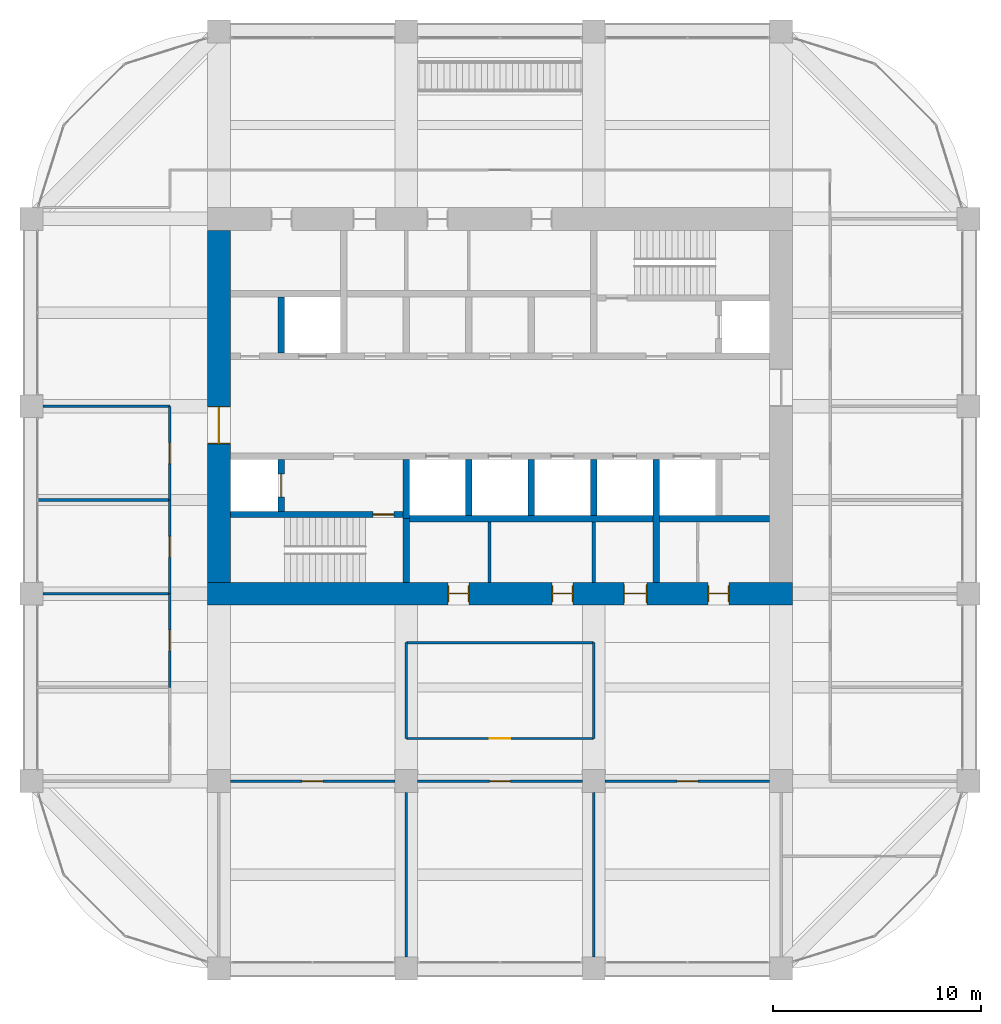
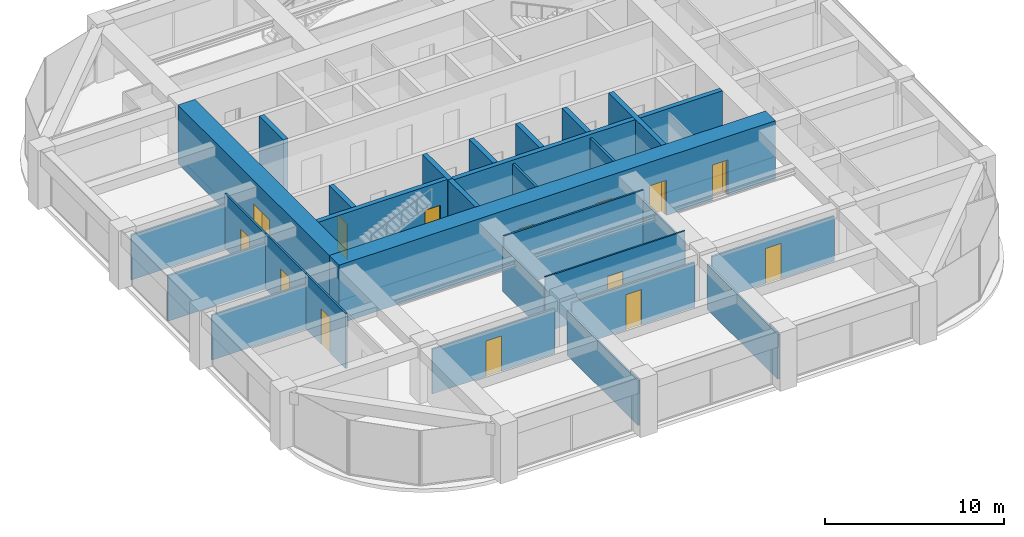
# One storey, part 41 of 45: 29 walls, 14 doors, 14 openings.
"""IFC4 building model written with IfcOpenShell, lengths in metres."""

from ifc_helpers import new_model, si_unit, direction, frame, frame_2d, origin, place, context, subcontext, project, spatial, rectangle, extrude, material, layer, layer_set, type_object, element, fill, save


model = new_model("IFC4")

# Units and contexts
model_context = context("Model", 3, precision=1e-05, world=origin(), true_north=direction((0.0, 1.0)))
body_context = subcontext(model_context, "Body", "Model", "MODEL_VIEW")
ifc_project = project(units=[si_unit("LENGTHUNIT", "METRE"), si_unit("AREAUNIT", "SQUARE_METRE"), si_unit("VOLUMEUNIT", "CUBIC_METRE"), si_unit("PLANEANGLEUNIT", "RADIAN"), si_unit("MASSUNIT", "GRAM", prefix="KILO")], contexts=[model_context])

# Site, building, storey
site_placement = place(None, origin())
site = spatial("IfcSite", under=ifc_project, at=site_placement, CompositionType="ELEMENT")
building_placement = place(site_placement, origin())
building = spatial("IfcBuilding", under=site, at=building_placement, Name="Zorevar Civic Tower", CompositionType="ELEMENT")
storey_placement = place(building_placement, frame((0.0, 0.0, 291.39990234375)))
storey = spatial("IfcBuildingStorey", under=building, at=storey_placement, Name="L71", CompositionType="ELEMENT", Elevation=291.39990234375)

# Wall, openings, doors
ifc_material_1 = material(Name="Concrete C50/60", Category="concrete")
ifc_layer_1 = layer(ifc_material_1, 1.10009765625)
ifc_layer_set_1 = layer_set([ifc_layer_1], Name="Core wall 1100")
wall_type_1 = type_object("IfcWallType", Name="Core wall 1100", PredefinedType="SHEAR", material=ifc_layer_set_1)
wall_1_placement = place(storey_placement, frame((17.449951171875, 18.0, 0.0), z_axis=(0.0, 0.0, 1.0), x_axis=(1.0, 0.0, 0.0)))
wall_1 = element("IfcWall", 1, at=wall_1_placement, inside=storey, type_object=wall_type_1, Name="Core wall S L71", PredefinedType="SHEAR", context=body_context, shape_type="SweptSolid", body=[
    extrude(rectangle(XDim=28.10009765625, YDim=1.10009765625, at=frame_2d((14.050048828125, 0.0))), origin(), (0.0, 0.0, 1.0), 4.0),
])
opening_1_placement = place(wall_1_placement, frame((11.550048828125, 0.0, 0.0)))
opening_1 = element("IfcOpeningElement", 2, at=opening_1_placement, cuts=wall_1, Name="Opening L71.03", PredefinedType="OPENING", context=body_context, shape_type="SweptSolid", body=[
    extrude(rectangle(XDim=1.0, YDim=2.39990234375, at=frame_2d((0.5, 1.199951171875))), frame((0.0, 0.56005859375, 0.0), z_axis=(0.0, -1.0, 0.0), x_axis=(1.0, 0.0, 0.0)), (0.0, 0.0, 1.0), 1.1201171875),
])
opening_2_placement = place(wall_1_placement, frame((16.550048828125, 0.0, 0.0)))
opening_2 = element("IfcOpeningElement", 3, at=opening_2_placement, cuts=wall_1, Name="Opening L71.04", PredefinedType="OPENING", context=body_context, shape_type="SweptSolid", body=[
    extrude(rectangle(XDim=1.0, YDim=2.39990234375, at=frame_2d((0.5, 1.199951171875))), frame((0.0, 0.56005859375, 0.0), z_axis=(0.0, -1.0, 0.0), x_axis=(1.0, 0.0, 0.0)), (0.0, 0.0, 1.0), 1.1201171875),
])
opening_3_placement = place(wall_1_placement, frame((20.0, 0.0, 0.0)))
opening_3 = element("IfcOpeningElement", 4, at=opening_3_placement, cuts=wall_1, Name="Opening L71.05", PredefinedType="OPENING", context=body_context, shape_type="SweptSolid", body=[
    extrude(rectangle(XDim=1.10009765625, YDim=2.39990234375, at=frame_2d((0.550048828125, 1.199951171875))), frame((0.0, 0.56005859375, 0.0), z_axis=(0.0, -1.0, 0.0), x_axis=(1.0, 0.0, 0.0)), (0.0, 0.0, 1.0), 1.1201171875),
])
opening_4_placement = place(wall_1_placement, frame((24.050048828125, 0.0, 0.0)))
opening_4 = element("IfcOpeningElement", 5, at=opening_4_placement, cuts=wall_1, Name="Opening L71.06", PredefinedType="OPENING", context=body_context, shape_type="SweptSolid", body=[
    extrude(rectangle(XDim=1.0, YDim=2.39990234375, at=frame_2d((0.5, 1.199951171875))), frame((0.0, 0.56005859375, 0.0), z_axis=(0.0, -1.0, 0.0), x_axis=(1.0, 0.0, 0.0)), (0.0, 0.0, 1.0), 1.1201171875),
])
ifc_material_2 = material(Name="Timber door set", Category="wood")
door_type_1 = type_object("IfcDoorType", Name="Door D1 1000x2400", OperationType="SINGLE_SWING_LEFT", PredefinedType="DOOR", material=ifc_material_2)
door_1_placement = place(opening_1_placement, origin())
door_1 = element("IfcDoor", 6, at=door_1_placement, inside=storey, type_object=door_type_1, Name="Door L71 02", OperationType="SINGLE_SWING_LEFT", OverallHeight=2.39990234375, OverallWidth=1.0, PredefinedType="DOOR", context=body_context, shape_type="SweptSolid", body=[
    extrude(rectangle(XDim=1.0, YDim=2.39990234375, at=frame_2d((0.5, 1.199951171875))), frame((0.0, 0.02490234375, 0.0), z_axis=(0.0, -1.0, 0.0), x_axis=(1.0, 0.0, 0.0)), (0.0, 0.0, 1.0), 0.050048828125),
    extrude(rectangle(XDim=0.04, YDim=2.39990234375, at=frame_2d((0.02001953125, 1.199951171875))), frame((0.0, 0.39990234375, 0.0), z_axis=(0.0, -1.0, 0.0), x_axis=(1.0, 0.0, 0.0)), (0.0, 0.0, 1.0), 0.800048828125),
    extrude(rectangle(XDim=0.04, YDim=2.39990234375, at=frame_2d((0.97998046875, 1.199951171875))), frame((0.0, 0.39990234375, 0.0), z_axis=(0.0, -1.0, 0.0), x_axis=(1.0, 0.0, 0.0)), (0.0, 0.0, 1.0), 0.800048828125),
    extrude(rectangle(XDim=1.0, YDim=0.04, at=frame_2d((0.5, 2.3798828125))), frame((0.0, 0.39990234375, 0.0), z_axis=(0.0, -1.0, 0.0), x_axis=(1.0, 0.0, 0.0)), (0.0, 0.0, 1.0), 0.800048828125),
])
fill(opening_1, door_1)
door_2_placement = place(opening_2_placement, origin())
door_2 = element("IfcDoor", 7, at=door_2_placement, inside=storey, type_object=door_type_1, Name="Door L71 03", OperationType="SINGLE_SWING_RIGHT", OverallHeight=2.39990234375, OverallWidth=1.0, PredefinedType="DOOR", context=body_context, shape_type="SweptSolid", body=[
    extrude(rectangle(XDim=1.0, YDim=2.39990234375, at=frame_2d((0.5, 1.199951171875))), frame((0.0, 0.02490234375, 0.0), z_axis=(0.0, -1.0, 0.0), x_axis=(1.0, 0.0, 0.0)), (0.0, 0.0, 1.0), 0.050048828125),
    extrude(rectangle(XDim=0.04, YDim=2.39990234375, at=frame_2d((0.02001953125, 1.199951171875))), frame((0.0, 0.39990234375, 0.0), z_axis=(0.0, -1.0, 0.0), x_axis=(1.0, 0.0, 0.0)), (0.0, 0.0, 1.0), 0.800048828125),
    extrude(rectangle(XDim=0.04, YDim=2.39990234375, at=frame_2d((0.97998046875, 1.199951171875))), frame((0.0, 0.39990234375, 0.0), z_axis=(0.0, -1.0, 0.0), x_axis=(1.0, 0.0, 0.0)), (0.0, 0.0, 1.0), 0.800048828125),
    extrude(rectangle(XDim=1.0, YDim=0.04, at=frame_2d((0.5, 2.3798828125))), frame((0.0, 0.39990234375, 0.0), z_axis=(0.0, -1.0, 0.0), x_axis=(1.0, 0.0, 0.0)), (0.0, 0.0, 1.0), 0.800048828125),
])
fill(opening_2, door_2)
door_3_placement = place(opening_4_placement, origin())
door_3 = element("IfcDoor", 8, at=door_3_placement, inside=storey, type_object=door_type_1, Name="Door L71 05", OperationType="SINGLE_SWING_RIGHT", OverallHeight=2.39990234375, OverallWidth=1.0, PredefinedType="DOOR", context=body_context, shape_type="SweptSolid", body=[
    extrude(rectangle(XDim=1.0, YDim=2.39990234375, at=frame_2d((0.5, 1.199951171875))), frame((0.0, 0.02490234375, 0.0), z_axis=(0.0, -1.0, 0.0), x_axis=(1.0, 0.0, 0.0)), (0.0, 0.0, 1.0), 0.050048828125),
    extrude(rectangle(XDim=0.04, YDim=2.39990234375, at=frame_2d((0.02001953125, 1.199951171875))), frame((0.0, 0.39990234375, 0.0), z_axis=(0.0, -1.0, 0.0), x_axis=(1.0, 0.0, 0.0)), (0.0, 0.0, 1.0), 0.800048828125),
    extrude(rectangle(XDim=0.04, YDim=2.39990234375, at=frame_2d((0.97998046875, 1.199951171875))), frame((0.0, 0.39990234375, 0.0), z_axis=(0.0, -1.0, 0.0), x_axis=(1.0, 0.0, 0.0)), (0.0, 0.0, 1.0), 0.800048828125),
    extrude(rectangle(XDim=1.0, YDim=0.04, at=frame_2d((0.5, 2.3798828125))), frame((0.0, 0.39990234375, 0.0), z_axis=(0.0, -1.0, 0.0), x_axis=(1.0, 0.0, 0.0)), (0.0, 0.0, 1.0), 0.800048828125),
])
fill(opening_4, door_3)
ifc_material_3 = material(Name="Timber door set", Category="wood")
door_type_2 = type_object("IfcDoorType", Name="Door D5 1100x2400", OperationType="SINGLE_SWING_LEFT", PredefinedType="DOOR", material=ifc_material_3)
door_4_placement = place(opening_3_placement, origin())
door_4 = element("IfcDoor", 9, at=door_4_placement, inside=storey, type_object=door_type_2, Name="Door L71 04", OperationType="SINGLE_SWING_RIGHT", OverallHeight=2.39990234375, OverallWidth=1.10009765625, PredefinedType="DOOR", context=body_context, shape_type="SweptSolid", body=[
    extrude(rectangle(XDim=1.10009765625, YDim=2.39990234375, at=frame_2d((0.550048828125, 1.199951171875))), frame((0.0, 0.02490234375, 0.0), z_axis=(0.0, -1.0, 0.0), x_axis=(1.0, 0.0, 0.0)), (0.0, 0.0, 1.0), 0.050048828125),
    extrude(rectangle(XDim=0.04, YDim=2.39990234375, at=frame_2d((0.02001953125, 1.199951171875))), frame((0.0, 0.43994140625, 0.0), z_axis=(0.0, -1.0, 0.0), x_axis=(1.0, 0.0, 0.0)), (0.0, 0.0, 1.0), 0.880126953125),
    extrude(rectangle(XDim=0.04, YDim=2.39990234375, at=frame_2d((1.080078125, 1.199951171875))), frame((0.0, 0.43994140625, 0.0), z_axis=(0.0, -1.0, 0.0), x_axis=(1.0, 0.0, 0.0)), (0.0, 0.0, 1.0), 0.880126953125),
    extrude(rectangle(XDim=1.10009765625, YDim=0.04, at=frame_2d((0.550048828125, 2.3798828125))), frame((0.0, 0.43994140625, 0.0), z_axis=(0.0, -1.0, 0.0), x_axis=(1.0, 0.0, 0.0)), (0.0, 0.0, 1.0), 0.880126953125),
])
fill(opening_3, door_4)

# Wall, opening, door
wall_2_placement = place(storey_placement, frame((18.0, 35.449951171875, 0.0), z_axis=(0.0, 0.0, 1.0), x_axis=(0.0, -1.0, 0.0)))
wall_2 = element("IfcWall", 10, at=wall_2_placement, inside=storey, type_object=wall_type_1, Name="Core wall W L71", PredefinedType="SHEAR", context=body_context, shape_type="SweptSolid", body=[
    extrude(rectangle(XDim=16.89990234375, YDim=1.10009765625, at=frame_2d((8.449951171875, 0.0))), origin(), (0.0, 0.0, 1.0), 4.0),
])
opening_5_placement = place(wall_2_placement, frame((8.449951171875, 0.0, 0.0)))
opening_5 = element("IfcOpeningElement", 11, at=opening_5_placement, cuts=wall_2, Name="Opening L71.01", PredefinedType="OPENING", context=body_context, shape_type="SweptSolid", body=[
    extrude(rectangle(XDim=1.800048828125, YDim=2.39990234375, at=frame_2d((0.89990234375, 1.199951171875))), frame((0.0, 0.56005859375, 0.0), z_axis=(0.0, -1.0, 0.0), x_axis=(1.0, 0.0, 0.0)), (0.0, 0.0, 1.0), 1.1201171875),
])
ifc_material_4 = material(Name="Steel door set", Category="steel")
door_type_3 = type_object("IfcDoorType", Name="Fire door FD2 1800x2400", OperationType="DOUBLE_DOOR_DOUBLE_SWING", PredefinedType="DOOR", material=ifc_material_4)
door_5_placement = place(opening_5_placement, origin())
door_5 = element("IfcDoor", 12, at=door_5_placement, inside=storey, type_object=door_type_3, Name="Door L71 00", OperationType="DOUBLE_DOOR_DOUBLE_SWING", OverallHeight=2.39990234375, OverallWidth=1.800048828125, PredefinedType="DOOR", context=body_context, shape_type="SweptSolid", body=[
    extrude(rectangle(XDim=1.800048828125, YDim=2.39990234375, at=frame_2d((0.89990234375, 1.199951171875))), frame((0.0, 0.030029296875, 0.0), z_axis=(0.0, -1.0, 0.0), x_axis=(1.0, 0.0, 0.0)), (0.0, 0.0, 1.0), 0.06005859375),
    extrude(rectangle(XDim=0.04, YDim=2.39990234375, at=frame_2d((0.02001953125, 1.199951171875))), frame((0.0, 0.5498046875, 0.0), z_axis=(0.0, -1.0, 0.0), x_axis=(1.0, 0.0, 0.0)), (0.0, 0.0, 1.0), 1.099609375),
    extrude(rectangle(XDim=0.04, YDim=2.39990234375, at=frame_2d((1.780029296875, 1.199951171875))), frame((0.0, 0.5498046875, 0.0), z_axis=(0.0, -1.0, 0.0), x_axis=(1.0, 0.0, 0.0)), (0.0, 0.0, 1.0), 1.099609375),
    extrude(rectangle(XDim=1.800048828125, YDim=0.04, at=frame_2d((0.89990234375, 2.3798828125))), frame((0.0, 0.5498046875, 0.0), z_axis=(0.0, -1.0, 0.0), x_axis=(1.0, 0.0, 0.0)), (0.0, 0.0, 1.0), 1.099609375),
])
fill(opening_5, door_5)

ifc_material_5 = material(Name="Laminated glass in black aluminium frame", Category="aluminium")
ifc_layer_2 = layer(ifc_material_5, 0.10009765625)
ifc_layer_set_2 = layer_set([ifc_layer_2], Name="Glazed partition 100")
wall_type_2 = type_object("IfcWallType", Name="Glazed partition 100", PredefinedType="PARTITIONING", material=ifc_layer_set_2)
wall_3_placement = place(storey_placement, frame((27.0, 11.050048828125, 0.0), z_axis=(0.0, 0.0, 1.0), x_axis=(1.0, 0.0, 0.0)))
wall_3 = element("IfcWall", 13, at=wall_3_placement, inside=storey, type_object=wall_type_2, Name="Glazed partition 100 L71", PredefinedType="PARTITIONING", context=body_context, shape_type="SweptSolid", body=[
    extrude(rectangle(XDim=9.0, YDim=0.10009765625, at=frame_2d((4.5, 0.0))), origin(), (0.0, 0.0, 1.0), 3.75),
])
opening_6_placement = place(wall_3_placement, frame((4.0, 0.0, 0.0)))
opening_6 = element("IfcOpeningElement", 14, at=opening_6_placement, cuts=wall_3, Name="Opening L71.21", PredefinedType="OPENING", context=body_context, shape_type="SweptSolid", body=[
    extrude(rectangle(XDim=1.0, YDim=2.39990234375, at=frame_2d((0.5, 1.199951171875))), frame((0.0, 0.06005859375, 0.0), z_axis=(0.0, -1.0, 0.0), x_axis=(1.0, 0.0, 0.0)), (0.0, 0.0, 1.0), 0.1201171875),
])
ifc_material_6 = material(Name="Timber door set", Category="wood")
door_type_4 = type_object("IfcDoorType", Name="Glazed door GD1 1000x2400", OperationType="SINGLE_SWING_LEFT", PredefinedType="DOOR", material=ifc_material_6)
door_6_placement = place(opening_6_placement, origin())
door_6 = element("IfcDoor", 15, at=door_6_placement, inside=storey, type_object=door_type_4, Name="Door L71 D1", OperationType="SINGLE_SWING_RIGHT", OverallHeight=2.39990234375, OverallWidth=1.0, PredefinedType="DOOR", context=body_context, shape_type="SweptSolid", body=[
    extrude(rectangle(XDim=1.0, YDim=2.39990234375, at=frame_2d((0.5, 1.199951171875))), frame((0.0, 0.02001953125, 0.0), z_axis=(0.0, -1.0, 0.0), x_axis=(1.0, 0.0, 0.0)), (0.0, 0.0, 1.0), 0.0400390625),
])
fill(opening_6, door_6)

ifc_material_7 = material(Name="Concrete C40/50", Category="concrete")
ifc_layer_3 = layer(ifc_material_7, 0.300048828125)
ifc_layer_set_3 = layer_set([ifc_layer_3], Name="Inner core wall 300")
wall_type_3 = type_object("IfcWallType", Name="Inner core wall 300", PredefinedType="SHEAR", material=ifc_layer_set_3)
wall_4_placement = place(storey_placement, frame((18.550048828125, 21.800048828125, 0.0), z_axis=(0.0, 0.0, 1.0), x_axis=(1.0, 0.0, 0.0)))
wall_4 = element("IfcWall", 16, at=wall_4_placement, inside=storey, type_object=wall_type_3, Name="Inner core wall S00 L71", PredefinedType="SHEAR", context=body_context, shape_type="SweptSolid", body=[
    extrude(rectangle(XDim=8.300048828125, YDim=0.300048828125, at=frame_2d((4.14990234375, 0.0))), origin(), (0.0, 0.0, 1.0), 4.0),
])
opening_7_placement = place(wall_4_placement, frame((6.85009765625, 0.0, 0.0)))
opening_7 = element("IfcOpeningElement", 17, at=opening_7_placement, cuts=wall_4, Name="Opening L71.11", PredefinedType="OPENING", context=body_context, shape_type="SweptSolid", body=[
    extrude(rectangle(XDim=1.0, YDim=2.39990234375, at=frame_2d((0.5, 1.199951171875))), frame((0.0, 0.159912109375, 0.0), z_axis=(0.0, -1.0, 0.0), x_axis=(1.0, 0.0, 0.0)), (0.0, 0.0, 1.0), 0.320068359375),
])
ifc_material_8 = material(Name="Steel door set", Category="steel")
door_type_5 = type_object("IfcDoorType", Name="Fire door FD1 1000x2400", OperationType="SINGLE_SWING_LEFT", PredefinedType="DOOR", material=ifc_material_8)
door_7_placement = place(opening_7_placement, origin())
door_7 = element("IfcDoor", 18, at=door_7_placement, inside=storey, type_object=door_type_5, Name="Door L71 10", OperationType="SINGLE_SWING_RIGHT", OverallHeight=2.39990234375, OverallWidth=1.0, PredefinedType="DOOR", context=body_context, shape_type="SweptSolid", body=[
    extrude(rectangle(XDim=1.0, YDim=2.39990234375, at=frame_2d((0.5, 1.199951171875))), frame((0.0, 0.030029296875, 0.0), z_axis=(0.0, -1.0, 0.0), x_axis=(1.0, 0.0, 0.0)), (0.0, 0.0, 1.0), 0.06005859375),
])
fill(opening_7, door_7)

# Wall
wall_5_placement = place(storey_placement, frame((27.0, 18.550048828125, 0.0), z_axis=(0.0, 0.0, 1.0), x_axis=(0.0, 1.0, 0.0)))
element("IfcWall", 19, at=wall_5_placement, inside=storey, type_object=wall_type_3, Name="Inner core wall S01 L71", PredefinedType="SHEAR", context=body_context, shape_type="SweptSolid", body=[
    extrude(rectangle(XDim=3.050048828125, YDim=0.300048828125, at=frame_2d((1.52490234375, 0.0))), origin(), (0.0, 0.0, 1.0), 4.0),
])

# Wall, opening, door
wall_6_placement = place(storey_placement, frame((21.0, 21.949951171875, 0.0), z_axis=(0.0, 0.0, 1.0), x_axis=(0.0, 1.0, 0.0)))
wall_6 = element("IfcWall", 20, at=wall_6_placement, inside=storey, type_object=wall_type_3, Name="Inner core wall S02 L71", PredefinedType="SHEAR", context=body_context, shape_type="SweptSolid", body=[
    extrude(rectangle(XDim=2.5, YDim=0.300048828125, at=frame_2d((1.25, 0.0))), origin(), (0.0, 0.0, 1.0), 4.0),
])
opening_8_placement = place(wall_6_placement, frame((0.699951171875, 0.0, 0.0)))
opening_8 = element("IfcOpeningElement", 21, at=opening_8_placement, cuts=wall_6, Name="Opening L71.FL1", PredefinedType="OPENING", context=body_context, shape_type="SweptSolid", body=[
    extrude(rectangle(XDim=1.10009765625, YDim=2.39990234375, at=frame_2d((0.550048828125, 1.199951171875))), frame((0.0, 0.159912109375, 0.0), z_axis=(0.0, -1.0, 0.0), x_axis=(1.0, 0.0, 0.0)), (0.0, 0.0, 1.0), 0.320068359375),
])
ifc_material_9 = material(Name="Steel door set", Category="steel")
door_type_6 = type_object("IfcDoorType", Name="Firefighting lift landing door LD3 1100x2400", OperationType="DOUBLE_DOOR_SLIDING", PredefinedType="DOOR", material=ifc_material_9)
door_8_placement = place(opening_8_placement, origin())
door_8 = element("IfcDoor", 22, at=door_8_placement, inside=storey, type_object=door_type_6, Name="Landing door FL1 L71", OperationType="DOUBLE_DOOR_SLIDING", OverallHeight=2.39990234375, OverallWidth=1.10009765625, PredefinedType="DOOR", context=body_context, shape_type="SweptSolid", body=[
    extrude(rectangle(XDim=1.10009765625, YDim=2.39990234375, at=frame_2d((0.550048828125, 1.199951171875))), frame((0.0, 0.030029296875, 0.0), z_axis=(0.0, -1.0, 0.0), x_axis=(1.0, 0.0, 0.0)), (0.0, 0.0, 1.0), 0.06005859375),
])
fill(opening_8, door_8)

# Walls
wall_7_placement = place(storey_placement, frame((27.14990234375, 21.60009765625, 0.0), z_axis=(0.0, 0.0, 1.0), x_axis=(1.0, 0.0, 0.0)))
element("IfcWall", 23, at=wall_7_placement, inside=storey, type_object=wall_type_3, Name="Inner core wall S04 L71", PredefinedType="SHEAR", context=body_context, shape_type="SweptSolid", body=[
    extrude(rectangle(XDim=17.300048828125, YDim=0.300048828125, at=frame_2d((8.64990234375, 0.0))), origin(), (0.0, 0.0, 1.0), 4.0),
])
for number, where, z_axis, x_axis, name in (
    (24, (30.0, 21.75, 0.0), (0.0, 0.0, 1.0), (0.0, 1.0, 0.0), "Inner core wall S05 L71"),
    (25, (33.0, 21.75, 0.0), (0.0, 0.0, 1.0), (0.0, 1.0, 0.0), "Inner core wall S06 L71"),
    (26, (36.0, 21.75, 0.0), (0.0, 0.0, 1.0), (0.0, 1.0, 0.0), "Inner core wall S07 L71"),
):
    element("IfcWall", number, at=place(storey_placement, frame(where, z_axis=z_axis, x_axis=x_axis)), inside=storey, type_object=wall_type_3, Name=name, PredefinedType="SHEAR", context=body_context, shape_type="SweptSolid", body=[
        extrude(rectangle(XDim=2.699951171875, YDim=0.300048828125, at=frame_2d((1.35009765625, 0.0))), origin(), (0.0, 0.0, 1.0), 4.0),
    ])
wall_8_placement = place(storey_placement, frame((39.0, 18.550048828125, 0.0), z_axis=(0.0, 0.0, 1.0), x_axis=(0.0, 1.0, 0.0)))
element("IfcWall", 27, at=wall_8_placement, inside=storey, type_object=wall_type_3, Name="Inner core wall S08 L71", PredefinedType="SHEAR", context=body_context, shape_type="SweptSolid", body=[
    extrude(rectangle(XDim=5.89990234375, YDim=0.300048828125, at=frame_2d((2.949951171875, 0.0))), origin(), (0.0, 0.0, 1.0), 4.0),
])
wall_9_placement = place(storey_placement, frame((21.0, 29.550048828125, 0.0), z_axis=(0.0, 0.0, 1.0), x_axis=(0.0, 1.0, 0.0)))
element("IfcWall", 28, at=wall_9_placement, inside=storey, type_object=wall_type_3, Name="Inner core wall N09 L71", PredefinedType="SHEAR", context=body_context, shape_type="SweptSolid", body=[
    extrude(rectangle(XDim=2.699951171875, YDim=0.300048828125, at=frame_2d((1.35009765625, 0.0))), origin(), (0.0, 0.0, 1.0), 4.0),
])
wall_10_placement = place(storey_placement, frame((27.0, 21.60009765625, 0.0), z_axis=(0.0, 0.0, 1.0), x_axis=(0.0, 1.0, 0.0)))
element("IfcWall", 29, at=wall_10_placement, inside=storey, type_object=wall_type_3, Name="Inner core wall S10 L71", PredefinedType="SHEAR", context=body_context, shape_type="SweptSolid", body=[
    extrude(rectangle(XDim=2.849853515625, YDim=0.300048828125, at=frame_2d((1.4248046875, 0.0))), origin(), (0.0, 0.0, 1.0), 4.0),
])

# Wall, opening, door
ifc_material_10 = material(Name="Gypsum board on steel studs", Category="steel")
ifc_layer_4 = layer(ifc_material_10, 0.1201171875)
ifc_layer_set_4 = layer_set([ifc_layer_4], Name="Partition 120")
wall_type_4 = type_object("IfcWallType", Name="Partition 120", PredefinedType="PARTITIONING", material=ifc_layer_set_4)
wall_11_placement = place(storey_placement, frame((18.550048828125, 9.0, 0.0), z_axis=(0.0, 0.0, 1.0), x_axis=(1.0, 0.0, 0.0)))
wall_11 = element("IfcWall", 30, at=wall_11_placement, inside=storey, type_object=wall_type_4, Name="Partition 120 L71", PredefinedType="PARTITIONING", context=body_context, shape_type="SweptSolid", body=[
    extrude(rectangle(XDim=7.89990234375, YDim=0.1201171875, at=frame_2d((3.949951171875, 0.0))), origin(), (0.0, 0.0, 1.0), 3.050048828125),
])
opening_9_placement = place(wall_11_placement, frame((3.449951171875, 0.0, 0.0)))
opening_9 = element("IfcOpeningElement", 31, at=opening_9_placement, cuts=wall_11, Name="Opening L71.18", PredefinedType="OPENING", context=body_context, shape_type="SweptSolid", body=[
    extrude(rectangle(XDim=1.0, YDim=2.39990234375, at=frame_2d((0.5, 1.199951171875))), frame((0.0, 0.070068359375, 0.0), z_axis=(0.0, -1.0, 0.0), x_axis=(1.0, 0.0, 0.0)), (0.0, 0.0, 1.0), 0.14013671875),
])
door_9_placement = place(opening_9_placement, origin())
door_9 = element("IfcDoor", 32, at=door_9_placement, inside=storey, type_object=door_type_1, Name="Door L71 D1", OperationType="SINGLE_SWING_RIGHT", OverallHeight=2.39990234375, OverallWidth=1.0, PredefinedType="DOOR", context=body_context, shape_type="SweptSolid", body=[
    extrude(rectangle(XDim=1.0, YDim=2.39990234375, at=frame_2d((0.5, 1.199951171875))), frame((0.0, 0.02490234375, 0.0), z_axis=(0.0, -1.0, 0.0), x_axis=(1.0, 0.0, 0.0)), (0.0, 0.0, 1.0), 0.050048828125),
])
fill(opening_9, door_9)

wall_12_placement = place(storey_placement, frame((27.550048828125, 9.0, 0.0), z_axis=(0.0, 0.0, 1.0), x_axis=(1.0, 0.0, 0.0)))
wall_12 = element("IfcWall", 33, at=wall_12_placement, inside=storey, type_object=wall_type_4, Name="Partition 120 L71", PredefinedType="PARTITIONING", context=body_context, shape_type="SweptSolid", body=[
    extrude(rectangle(XDim=7.89990234375, YDim=0.1201171875, at=frame_2d((3.949951171875, 0.0))), origin(), (0.0, 0.0, 1.0), 3.050048828125),
])
opening_10_placement = place(wall_12_placement, frame((3.449951171875, 0.0, 0.0)))
opening_10 = element("IfcOpeningElement", 34, at=opening_10_placement, cuts=wall_12, Name="Opening L71.19", PredefinedType="OPENING", context=body_context, shape_type="SweptSolid", body=[
    extrude(rectangle(XDim=1.0, YDim=2.39990234375, at=frame_2d((0.5, 1.199951171875))), frame((0.0, 0.070068359375, 0.0), z_axis=(0.0, -1.0, 0.0), x_axis=(1.0, 0.0, 0.0)), (0.0, 0.0, 1.0), 0.14013671875),
])
door_10_placement = place(opening_10_placement, origin())
door_10 = element("IfcDoor", 35, at=door_10_placement, inside=storey, type_object=door_type_1, Name="Door L71 D1", OperationType="SINGLE_SWING_LEFT", OverallHeight=2.39990234375, OverallWidth=1.0, PredefinedType="DOOR", context=body_context, shape_type="SweptSolid", body=[
    extrude(rectangle(XDim=1.0, YDim=2.39990234375, at=frame_2d((0.5, 1.199951171875))), frame((0.0, 0.02490234375, 0.0), z_axis=(0.0, -1.0, 0.0), x_axis=(1.0, 0.0, 0.0)), (0.0, 0.0, 1.0), 0.050048828125),
])
fill(opening_10, door_10)

wall_13_placement = place(storey_placement, frame((36.550048828125, 9.0, 0.0), z_axis=(0.0, 0.0, 1.0), x_axis=(1.0, 0.0, 0.0)))
wall_13 = element("IfcWall", 36, at=wall_13_placement, inside=storey, type_object=wall_type_4, Name="Partition 120 L71", PredefinedType="PARTITIONING", context=body_context, shape_type="SweptSolid", body=[
    extrude(rectangle(XDim=7.89990234375, YDim=0.1201171875, at=frame_2d((3.949951171875, 0.0))), origin(), (0.0, 0.0, 1.0), 3.050048828125),
])
opening_11_placement = place(wall_13_placement, frame((3.449951171875, 0.0, 0.0)))
opening_11 = element("IfcOpeningElement", 37, at=opening_11_placement, cuts=wall_13, Name="Opening L71.20", PredefinedType="OPENING", context=body_context, shape_type="SweptSolid", body=[
    extrude(rectangle(XDim=1.0, YDim=2.39990234375, at=frame_2d((0.5, 1.199951171875))), frame((0.0, 0.070068359375, 0.0), z_axis=(0.0, -1.0, 0.0), x_axis=(1.0, 0.0, 0.0)), (0.0, 0.0, 1.0), 0.14013671875),
])
door_11_placement = place(opening_11_placement, origin())
door_11 = element("IfcDoor", 38, at=door_11_placement, inside=storey, type_object=door_type_1, Name="Door L71 D1", OperationType="SINGLE_SWING_RIGHT", OverallHeight=2.39990234375, OverallWidth=1.0, PredefinedType="DOOR", context=body_context, shape_type="SweptSolid", body=[
    extrude(rectangle(XDim=1.0, YDim=2.39990234375, at=frame_2d((0.5, 1.199951171875))), frame((0.0, 0.02490234375, 0.0), z_axis=(0.0, -1.0, 0.0), x_axis=(1.0, 0.0, 0.0)), (0.0, 0.0, 1.0), 0.050048828125),
])
fill(opening_11, door_11)

# Walls
wall_14_placement = place(storey_placement, frame((27.0, 15.64990234375, 0.0), z_axis=(0.0, 0.0, 1.0), x_axis=(1.0, 0.0, 0.0)))
element("IfcWall", 39, at=wall_14_placement, inside=storey, type_object=wall_type_4, Name="Partition 120 L71", PredefinedType="PARTITIONING", context=body_context, shape_type="SweptSolid", body=[
    extrude(rectangle(XDim=9.0, YDim=0.1201171875, at=frame_2d((4.5, 0.0))), origin(), (0.0, 0.0, 1.0), 3.75),
])
wall_15_placement = place(storey_placement, frame((9.550048828125, 18.0, 0.0), z_axis=(0.0, 0.0, 1.0), x_axis=(1.0, 0.0, 0.0)))
element("IfcWall", 40, at=wall_15_placement, inside=storey, type_object=wall_type_4, Name="Partition 120 L71", PredefinedType="PARTITIONING", context=body_context, shape_type="SweptSolid", body=[
    extrude(rectangle(XDim=6.099853515625, YDim=0.1201171875, at=frame_2d((3.0498046875, 0.0))), origin(), (0.0, 0.0, 1.0), 3.050048828125),
])
wall_16_placement = place(storey_placement, frame((9.31005859375, 22.5, 0.0), z_axis=(0.0, 0.0, 1.0), x_axis=(1.0, 0.0, 0.0)))
element("IfcWall", 41, at=wall_16_placement, inside=storey, type_object=wall_type_4, Name="Partition 120 L71", PredefinedType="PARTITIONING", context=body_context, shape_type="SweptSolid", body=[
    extrude(rectangle(XDim=6.33984375, YDim=0.1201171875, at=frame_2d((3.169921875, 0.0))), origin(), (0.0, 0.0, 1.0), 3.10009765625),
])
wall_17_placement = place(storey_placement, frame((9.550048828125, 27.0, 0.0), z_axis=(0.0, 0.0, 1.0), x_axis=(1.0, 0.0, 0.0)))
element("IfcWall", 42, at=wall_17_placement, inside=storey, type_object=wall_type_4, Name="Partition 120 L71", PredefinedType="PARTITIONING", context=body_context, shape_type="SweptSolid", body=[
    extrude(rectangle(XDim=6.099853515625, YDim=0.1201171875, at=frame_2d((3.0498046875, 0.0))), origin(), (0.0, 0.0, 1.0), 3.050048828125),
])

# Wall, opening, door
wall_18_placement = place(storey_placement, frame((15.64990234375, 13.5, 0.0), z_axis=(0.0, 0.0, 1.0), x_axis=(0.0, 1.0, 0.0)))
wall_18 = element("IfcWall", 43, at=wall_18_placement, inside=storey, type_object=wall_type_4, Name="Partition 120 L71", PredefinedType="PARTITIONING", context=body_context, shape_type="SweptSolid", body=[
    extrude(rectangle(XDim=4.5, YDim=0.1201171875, at=frame_2d((2.25, 0.0))), origin(), (0.0, 0.0, 1.0), 3.75),
])
opening_12_placement = place(wall_18_placement, frame((1.75, 0.0, 0.0)))
opening_12 = element("IfcOpeningElement", 44, at=opening_12_placement, cuts=wall_18, Name="Opening L71.24", PredefinedType="OPENING", context=body_context, shape_type="SweptSolid", body=[
    extrude(rectangle(XDim=1.0, YDim=2.39990234375, at=frame_2d((0.5, 1.199951171875))), frame((0.0, 0.070068359375, 0.0), z_axis=(0.0, -1.0, 0.0), x_axis=(1.0, 0.0, 0.0)), (0.0, 0.0, 1.0), 0.14013671875),
])
door_12_placement = place(opening_12_placement, origin())
door_12 = element("IfcDoor", 45, at=door_12_placement, inside=storey, type_object=door_type_1, Name="Door L71 D1", OperationType="SINGLE_SWING_LEFT", OverallHeight=2.39990234375, OverallWidth=1.0, PredefinedType="DOOR", context=body_context, shape_type="SweptSolid", body=[
    extrude(rectangle(XDim=1.0, YDim=2.39990234375, at=frame_2d((0.5, 1.199951171875))), frame((0.0, 0.02490234375, 0.0), z_axis=(0.0, -1.0, 0.0), x_axis=(1.0, 0.0, 0.0)), (0.0, 0.0, 1.0), 0.050048828125),
])
fill(opening_12, door_12)

wall_19_placement = place(storey_placement, frame((15.64990234375, 18.0, 0.0), z_axis=(0.0, 0.0, 1.0), x_axis=(0.0, 1.0, 0.0)))
wall_19 = element("IfcWall", 46, at=wall_19_placement, inside=storey, type_object=wall_type_4, Name="Partition 120 L71", PredefinedType="PARTITIONING", context=body_context, shape_type="SweptSolid", body=[
    extrude(rectangle(XDim=4.5, YDim=0.1201171875, at=frame_2d((2.25, 0.0))), origin(), (0.0, 0.0, 1.0), 3.75),
])
opening_13_placement = place(wall_19_placement, frame((1.75, 0.0, 0.0)))
opening_13 = element("IfcOpeningElement", 47, at=opening_13_placement, cuts=wall_19, Name="Opening L71.25", PredefinedType="OPENING", context=body_context, shape_type="SweptSolid", body=[
    extrude(rectangle(XDim=1.0, YDim=2.39990234375, at=frame_2d((0.5, 1.199951171875))), frame((0.0, 0.070068359375, 0.0), z_axis=(0.0, -1.0, 0.0), x_axis=(1.0, 0.0, 0.0)), (0.0, 0.0, 1.0), 0.14013671875),
])
door_13_placement = place(opening_13_placement, origin())
door_13 = element("IfcDoor", 48, at=door_13_placement, inside=storey, type_object=door_type_1, Name="Door L71 D1", OperationType="SINGLE_SWING_LEFT", OverallHeight=2.39990234375, OverallWidth=1.0, PredefinedType="DOOR", context=body_context, shape_type="SweptSolid", body=[
    extrude(rectangle(XDim=1.0, YDim=2.39990234375, at=frame_2d((0.5, 1.199951171875))), frame((0.0, 0.02490234375, 0.0), z_axis=(0.0, -1.0, 0.0), x_axis=(1.0, 0.0, 0.0)), (0.0, 0.0, 1.0), 0.050048828125),
])
fill(opening_13, door_13)

wall_20_placement = place(storey_placement, frame((15.64990234375, 22.5, 0.0), z_axis=(0.0, 0.0, 1.0), x_axis=(0.0, 1.0, 0.0)))
wall_20 = element("IfcWall", 49, at=wall_20_placement, inside=storey, type_object=wall_type_4, Name="Partition 120 L71", PredefinedType="PARTITIONING", context=body_context, shape_type="SweptSolid", body=[
    extrude(rectangle(XDim=4.5, YDim=0.1201171875, at=frame_2d((2.25, 0.0))), origin(), (0.0, 0.0, 1.0), 3.75),
])
opening_14_placement = place(wall_20_placement, frame((1.75, 0.0, 0.0)))
opening_14 = element("IfcOpeningElement", 50, at=opening_14_placement, cuts=wall_20, Name="Opening L71.26", PredefinedType="OPENING", context=body_context, shape_type="SweptSolid", body=[
    extrude(rectangle(XDim=1.0, YDim=2.39990234375, at=frame_2d((0.5, 1.199951171875))), frame((0.0, 0.070068359375, 0.0), z_axis=(0.0, -1.0, 0.0), x_axis=(1.0, 0.0, 0.0)), (0.0, 0.0, 1.0), 0.14013671875),
])
door_14_placement = place(opening_14_placement, origin())
door_14 = element("IfcDoor", 51, at=door_14_placement, inside=storey, type_object=door_type_1, Name="Door L71 D1", OperationType="SINGLE_SWING_LEFT", OverallHeight=2.39990234375, OverallWidth=1.0, PredefinedType="DOOR", context=body_context, shape_type="SweptSolid", body=[
    extrude(rectangle(XDim=1.0, YDim=2.39990234375, at=frame_2d((0.5, 1.199951171875))), frame((0.0, 0.02490234375, 0.0), z_axis=(0.0, -1.0, 0.0), x_axis=(1.0, 0.0, 0.0)), (0.0, 0.0, 1.0), 0.050048828125),
])
fill(opening_14, door_14)

# Walls
wall_21_placement = place(storey_placement, frame((27.0, 0.550048828125, 0.0), z_axis=(0.0, 0.0, 1.0), x_axis=(0.0, 1.0, 0.0)))
element("IfcWall", 52, at=wall_21_placement, inside=storey, type_object=wall_type_4, Name="Partition 120 L71", PredefinedType="PARTITIONING", context=body_context, shape_type="SweptSolid", body=[
    extrude(rectangle(XDim=7.89990234375, YDim=0.1201171875, at=frame_2d((3.949951171875, 0.0))), origin(), (0.0, 0.0, 1.0), 3.050048828125),
])
wall_22_placement = place(storey_placement, frame((27.0, 11.050048828125, 0.0), z_axis=(0.0, 0.0, 1.0), x_axis=(0.0, 1.0, 0.0)))
element("IfcWall", 53, at=wall_22_placement, inside=storey, type_object=wall_type_4, Name="Partition 120 L71", PredefinedType="PARTITIONING", context=body_context, shape_type="SweptSolid", body=[
    extrude(rectangle(XDim=4.599853515625, YDim=0.1201171875, at=frame_2d((2.2998046875, 0.0))), origin(), (0.0, 0.0, 1.0), 3.050048828125),
])
wall_23_placement = place(storey_placement, frame((36.0, 0.550048828125, 0.0), z_axis=(0.0, 0.0, 1.0), x_axis=(0.0, 1.0, 0.0)))
element("IfcWall", 54, at=wall_23_placement, inside=storey, type_object=wall_type_4, Name="Partition 120 L71", PredefinedType="PARTITIONING", context=body_context, shape_type="SweptSolid", body=[
    extrude(rectangle(XDim=7.89990234375, YDim=0.1201171875, at=frame_2d((3.949951171875, 0.0))), origin(), (0.0, 0.0, 1.0), 3.050048828125),
])
wall_24_placement = place(storey_placement, frame((36.0, 11.050048828125, 0.0), z_axis=(0.0, 0.0, 1.0), x_axis=(0.0, 1.0, 0.0)))
element("IfcWall", 55, at=wall_24_placement, inside=storey, type_object=wall_type_4, Name="Partition 120 L71", PredefinedType="PARTITIONING", context=body_context, shape_type="SweptSolid", body=[
    extrude(rectangle(XDim=4.599853515625, YDim=0.1201171875, at=frame_2d((2.2998046875, 0.0))), origin(), (0.0, 0.0, 1.0), 3.050048828125),
])
ifc_material_11 = material(Name="Gypsum board on steel studs, moisture resistant", Category="steel")
ifc_layer_5 = layer(ifc_material_11, 0.14990234375)
ifc_layer_set_5 = layer_set([ifc_layer_5], Name="WC partition 150")
wall_type_5 = type_object("IfcWallType", Name="WC partition 150", PredefinedType="PARTITIONING", material=ifc_layer_set_5)
for number, where, z_axis, x_axis, name in (
    (56, (31.0, 18.550048828125, 0.0), (0.0, 0.0, 1.0), (0.0, 1.0, 0.0), "WC partition L71"),
    (57, (36.0, 18.550048828125, 0.0), (0.0, 0.0, 1.0), (0.0, 1.0, 0.0), "WC partition L71"),
):
    element("IfcWall", number, at=place(storey_placement, frame(where, z_axis=z_axis, x_axis=x_axis)), inside=storey, type_object=wall_type_5, Name=name, PredefinedType="PARTITIONING", context=body_context, shape_type="SweptSolid", body=[
        extrude(rectangle(XDim=2.89990234375, YDim=0.14990234375, at=frame_2d((1.449951171875, 0.0))), origin(), (0.0, 0.0, 1.0), 3.75),
    ])

save(model, "model.ifc")
